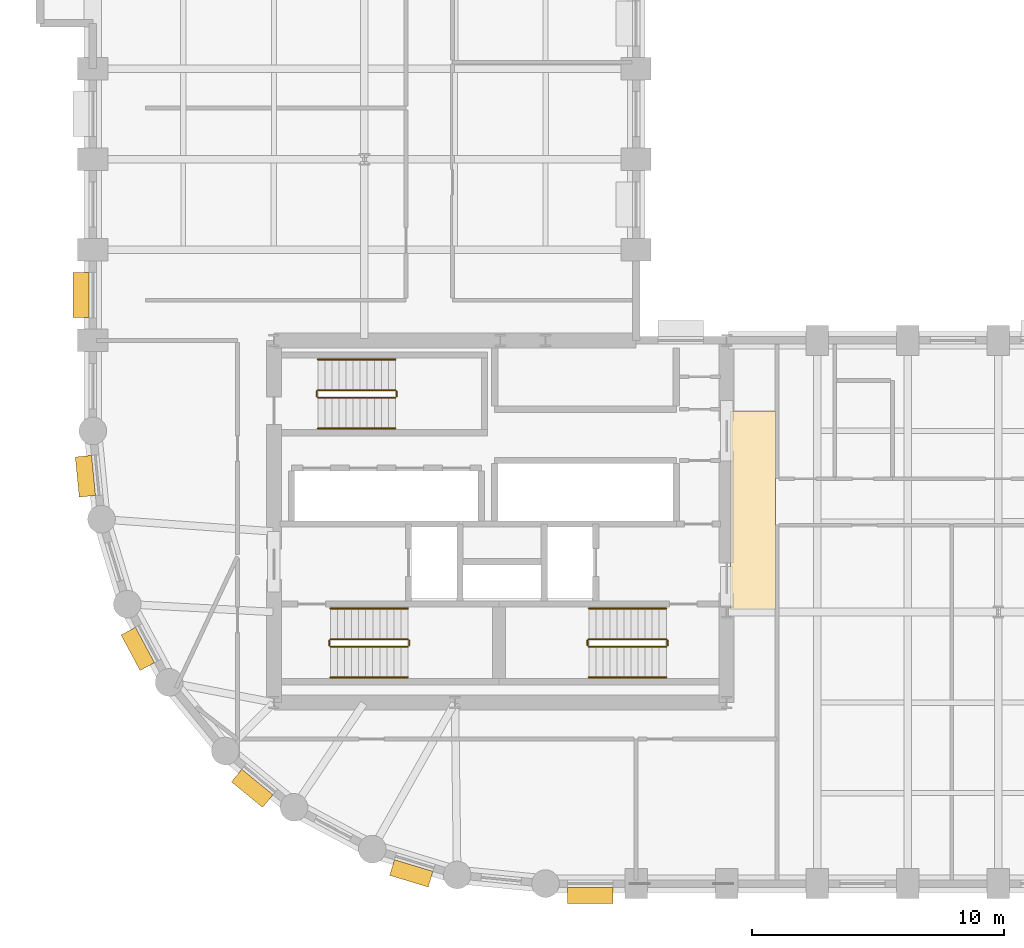
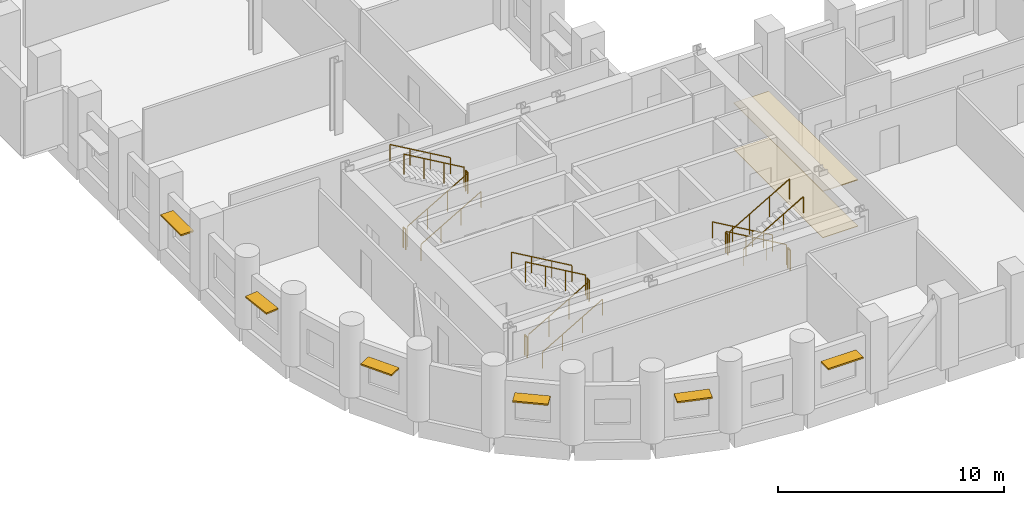
# One storey, part 10 of 11: 18 railings, 6 shading devices, 2 coverings.
"""IFC4 building model written with IfcOpenShell, lengths in metres."""

from ifc_helpers import new_model, si_unit, direction, frame, origin, origin_2d, place, context, subcontext, project, spatial, polyline, rectangle, circle, outline, extrude, material, layer, layer_set, type_object, element, save


model = new_model("IFC4")

# Units and contexts
model_context = context("Model", 3, precision=1e-05, world=origin(), true_north=direction((0.0, 1.0)))
body_context = subcontext(model_context, "Body", "Model", "MODEL_VIEW")
ifc_project = project(units=[si_unit("LENGTHUNIT", "METRE"), si_unit("AREAUNIT", "SQUARE_METRE"), si_unit("VOLUMEUNIT", "CUBIC_METRE"), si_unit("PLANEANGLEUNIT", "RADIAN"), si_unit("MASSUNIT", "GRAM", prefix="KILO")], contexts=[model_context])

# Site, building, storey
site_placement = place(None, origin())
site = spatial("IfcSite", under=ifc_project, at=site_placement, CompositionType="ELEMENT")
building_placement = place(site_placement, origin())
building = spatial("IfcBuilding", under=site, at=building_placement, Name="Solnavia Interchange Tower", CompositionType="ELEMENT")
storey_placement = place(building_placement, frame((0.0, 0.0, 55.199951171875)))
storey = spatial("IfcBuildingStorey", under=building, at=storey_placement, Name="L13", CompositionType="ELEMENT", Elevation=55.199951171875)

# Coverings
ifc_material_1 = material(Name="Perforated Mineral-Fibre & Gypsum Ceiling", Category="gypsum")
ifc_layer_1 = layer(ifc_material_1, 0.0400390625)
ifc_layer_set_1 = layer_set([ifc_layer_1], Name="Perforated Mineral-Fibre & Gypsum Ceiling")
covering_type_1 = type_object("IfcCoveringType", Name="Covering-Ceiling-Acoustic40", PredefinedType="CEILING", material=ifc_layer_set_1)
covering_1_placement = place(storey_placement, frame((0.0, 0.0, 2.5)))
element("IfcCovering", 1, at=covering_1_placement, inside=storey, type_object=covering_type_1, Name="CLG-L13-01 Circulation suspended acoustic ceiling", PredefinedType="CEILING", context=body_context, shape_type="SweptSolid", body=[
    extrude(outline(polyline([(32.550048828125, 14.5), (34.35009765625, 14.5), (34.35009765625, 22.39990234375), (32.550048828125, 22.39990234375), (32.550048828125, 14.5)])), origin(), (0.0, 0.0, 1.0), 0.0400390625),
])
ifc_material_2 = material(Name="Polished Alicante Stone Terrazzo", Category="masonry")
ifc_layer_2 = layer(ifc_material_2, 0.02490234375)
ifc_layer_set_2 = layer_set([ifc_layer_2], Name="Polished Alicante Stone Terrazzo")
covering_type_2 = type_object("IfcCoveringType", Name="Covering-Flooring-Terrazzo25", PredefinedType="FLOORING", material=ifc_layer_set_2)
covering_2_placement = place(storey_placement, origin())
element("IfcCovering", 2, at=covering_2_placement, inside=storey, type_object=covering_type_2, Name="FLR-L13-01 Circulation floor finish", PredefinedType="FLOORING", context=body_context, shape_type="SweptSolid", body=[
    extrude(outline(polyline([(32.550048828125, 14.5), (34.35009765625, 14.5), (34.35009765625, 22.39990234375), (32.550048828125, 22.39990234375), (32.550048828125, 14.5)])), origin(), (0.0, 0.0, 1.0), 0.025146484375),
])

# Railings
ifc_material_3 = material(Name="Painted Steel Balustrade", Category="steel")
railing_type_1 = type_object("IfcRailingType", Name="Railing-StairGuard-1100", PredefinedType="GUARDRAIL", material=ifc_material_3)
railing_1_placement = place(storey_placement, frame((16.64990234375, 13.02001953125, 0.16259765625)))
element("IfcRailing", 3, at=railing_1_placement, inside=storey, type_object=railing_type_1, Name="L13 ST-1 stair guard 1", PredefinedType="GUARDRAIL", context=body_context, shape_type="SweptSolid", body=[
    extrude(circle(Radius=0.02392578125, at=origin_2d()), frame((0.0, 0.0, 1.09619140625), z_axis=(0.864920483161, 0.0, 0.501908913857), x_axis=(0.0, 1.0, 0.0)), (0.0, 0.0, 1.0), 3.56103515625),
    extrude(circle(Radius=0.02099609375, at=origin_2d()), origin(), (0.0, 0.0, 1.0), 1.072021484375),
    extrude(circle(Radius=0.02099609375, at=origin_2d()), frame((1.026611328125, 0.0, 0.595703125)), (0.0, 0.0, 1.0), 1.072021484375),
    extrude(circle(Radius=0.02099609375, at=origin_2d()), frame((2.053466796875, 0.0, 1.191650390625)), (0.0, 0.0, 1.0), 1.072021484375),
    extrude(circle(Radius=0.02099609375, at=origin_2d()), frame((3.080078125, 0.0, 1.787353515625)), (0.0, 0.0, 1.0), 1.072021484375),
])
railing_2_placement = place(storey_placement, frame((19.780029296875, 13.070068359375, 1.949951171875)))
element("IfcRailing", 4, at=railing_2_placement, inside=storey, type_object=railing_type_1, Name="L13 ST-1 stair guard 2", PredefinedType="GUARDRAIL", context=body_context, shape_type="SweptSolid", body=[
    extrude(circle(Radius=0.02392578125, at=origin_2d()), frame((0.0, 0.0, 1.09619140625), z_axis=(0.0, 1.0, 0.0), x_axis=(-1.0, 0.0, 0.0)), (0.0, 0.0, 1.0), 0.199951171875),
    extrude(circle(Radius=0.02099609375, at=origin_2d()), origin(), (0.0, 0.0, 1.0), 1.072021484375),
    extrude(circle(Radius=0.02099609375, at=origin_2d()), frame((0.0, 0.199951171875, 0.0)), (0.0, 0.0, 1.0), 1.072021484375),
])
railing_3_placement = place(storey_placement, frame((19.72998046875, 13.320068359375, 2.112548828125)))
element("IfcRailing", 5, at=railing_3_placement, inside=storey, type_object=railing_type_1, Name="L13 ST-1 stair guard 3", PredefinedType="GUARDRAIL", context=body_context, shape_type="SweptSolid", body=[
    extrude(circle(Radius=0.02392578125, at=origin_2d()), frame((0.0, 0.0, 1.09619140625), z_axis=(-0.864890721111, 0.0, 0.501960198159), x_axis=(0.0, -1.0, 0.0)), (0.0, 0.0, 1.0), 3.561279296875),
    extrude(circle(Radius=0.02099609375, at=origin_2d()), origin(), (0.0, 0.0, 1.0), 1.072021484375),
    extrude(circle(Radius=0.02099609375, at=origin_2d()), frame((-1.026611328125, 0.0, 0.595947265625)), (0.0, 0.0, 1.0), 1.072021484375),
    extrude(circle(Radius=0.02099609375, at=origin_2d()), frame((-2.053466796875, 0.0, 1.191650390625)), (0.0, 0.0, 1.0), 1.072021484375),
    extrude(circle(Radius=0.02099609375, at=origin_2d()), frame((-3.080078125, 0.0, 1.78759765625)), (0.0, 0.0, 1.0), 1.072021484375),
])
railing_4_placement = place(storey_placement, frame((16.60009765625, 13.070068359375, 0.0)))
element("IfcRailing", 6, at=railing_4_placement, inside=storey, type_object=railing_type_1, Name="L13 ST-1 stair guard 4", PredefinedType="GUARDRAIL", context=body_context, shape_type="SweptSolid", body=[
    extrude(circle(Radius=0.02392578125, at=origin_2d()), frame((0.0, 0.0, 1.09619140625), z_axis=(0.0, 1.0, 0.0), x_axis=(-1.0, 0.0, 0.0)), (0.0, 0.0, 1.0), 0.199951171875),
    extrude(circle(Radius=0.02099609375, at=origin_2d()), origin(), (0.0, 0.0, 1.0), 1.072021484375),
    extrude(circle(Radius=0.02099609375, at=origin_2d()), frame((0.0, 0.199951171875, 0.0)), (0.0, 0.0, 1.0), 1.072021484375),
])
railing_5_placement = place(storey_placement, frame((30.0, 13.320068359375, 0.16259765625)))
element("IfcRailing", 7, at=railing_5_placement, inside=storey, type_object=railing_type_1, Name="L13 ST-2 stair guard 1", PredefinedType="GUARDRAIL", context=body_context, shape_type="SweptSolid", body=[
    extrude(circle(Radius=0.02392578125, at=origin_2d()), frame((0.0, 0.0, 1.09619140625), z_axis=(-0.864920483161, 0.0, 0.501908913857), x_axis=(0.0, -1.0, 0.0)), (0.0, 0.0, 1.0), 3.56103515625),
    extrude(circle(Radius=0.02099609375, at=origin_2d()), origin(), (0.0, 0.0, 1.0), 1.072021484375),
    extrude(circle(Radius=0.02099609375, at=origin_2d()), frame((-1.026611328125, 0.0, 0.595703125)), (0.0, 0.0, 1.0), 1.072021484375),
    extrude(circle(Radius=0.02099609375, at=origin_2d()), frame((-2.053466796875, 0.0, 1.191650390625)), (0.0, 0.0, 1.0), 1.072021484375),
    extrude(circle(Radius=0.02099609375, at=origin_2d()), frame((-3.080078125, 0.0, 1.787353515625)), (0.0, 0.0, 1.0), 1.072021484375),
])
railing_6_placement = place(storey_placement, frame((26.8701171875, 13.27001953125, 1.949951171875)))
element("IfcRailing", 8, at=railing_6_placement, inside=storey, type_object=railing_type_1, Name="L13 ST-2 stair guard 2", PredefinedType="GUARDRAIL", context=body_context, shape_type="SweptSolid", body=[
    extrude(circle(Radius=0.02392578125, at=origin_2d()), frame((0.0, 0.0, 1.09619140625), z_axis=(0.0, -1.0, 0.0), x_axis=(1.0, 0.0, 0.0)), (0.0, 0.0, 1.0), 0.199951171875),
    extrude(circle(Radius=0.02099609375, at=origin_2d()), origin(), (0.0, 0.0, 1.0), 1.072021484375),
    extrude(circle(Radius=0.02099609375, at=origin_2d()), frame((0.0, -0.199951171875, 0.0)), (0.0, 0.0, 1.0), 1.072021484375),
])
railing_7_placement = place(storey_placement, frame((26.919921875, 13.02001953125, 2.112548828125)))
element("IfcRailing", 9, at=railing_7_placement, inside=storey, type_object=railing_type_1, Name="L13 ST-2 stair guard 3", PredefinedType="GUARDRAIL", context=body_context, shape_type="SweptSolid", body=[
    extrude(circle(Radius=0.02392578125, at=origin_2d()), frame((0.0, 0.0, 1.09619140625), z_axis=(0.864890721111, 0.0, 0.501960198159), x_axis=(0.0, 1.0, 0.0)), (0.0, 0.0, 1.0), 3.561279296875),
    extrude(circle(Radius=0.02099609375, at=origin_2d()), origin(), (0.0, 0.0, 1.0), 1.072021484375),
    extrude(circle(Radius=0.02099609375, at=origin_2d()), frame((1.026611328125, 0.0, 0.595947265625)), (0.0, 0.0, 1.0), 1.072021484375),
    extrude(circle(Radius=0.02099609375, at=origin_2d()), frame((2.053466796875, 0.0, 1.191650390625)), (0.0, 0.0, 1.0), 1.072021484375),
    extrude(circle(Radius=0.02099609375, at=origin_2d()), frame((3.080078125, 0.0, 1.78759765625)), (0.0, 0.0, 1.0), 1.072021484375),
])
railing_8_placement = place(storey_placement, frame((30.050048828125, 13.27001953125, 0.0)))
element("IfcRailing", 10, at=railing_8_placement, inside=storey, type_object=railing_type_1, Name="L13 ST-2 stair guard 4", PredefinedType="GUARDRAIL", context=body_context, shape_type="SweptSolid", body=[
    extrude(circle(Radius=0.02392578125, at=origin_2d()), frame((0.0, 0.0, 1.09619140625), z_axis=(0.0, -1.0, 0.0), x_axis=(1.0, 0.0, 0.0)), (0.0, 0.0, 1.0), 0.199951171875),
    extrude(circle(Radius=0.02099609375, at=origin_2d()), origin(), (0.0, 0.0, 1.0), 1.072021484375),
    extrude(circle(Radius=0.02099609375, at=origin_2d()), frame((0.0, -0.199951171875, 0.0)), (0.0, 0.0, 1.0), 1.072021484375),
])
railing_9_placement = place(storey_placement, frame((16.14990234375, 22.919921875, 0.16259765625)))
element("IfcRailing", 11, at=railing_9_placement, inside=storey, type_object=railing_type_1, Name="L13 ST-3 stair guard 1", PredefinedType="GUARDRAIL", context=body_context, shape_type="SweptSolid", body=[
    extrude(circle(Radius=0.02392578125, at=origin_2d()), frame((0.0, 0.0, 1.09619140625), z_axis=(0.864920483161, 0.0, 0.501908913857), x_axis=(0.0, 1.0, 0.0)), (0.0, 0.0, 1.0), 3.56103515625),
    extrude(circle(Radius=0.02099609375, at=origin_2d()), origin(), (0.0, 0.0, 1.0), 1.072021484375),
    extrude(circle(Radius=0.02099609375, at=origin_2d()), frame((1.026611328125, 0.0, 0.595703125)), (0.0, 0.0, 1.0), 1.072021484375),
    extrude(circle(Radius=0.02099609375, at=origin_2d()), frame((2.053466796875, 0.0, 1.191650390625)), (0.0, 0.0, 1.0), 1.072021484375),
    extrude(circle(Radius=0.02099609375, at=origin_2d()), frame((3.080078125, 0.0, 1.787353515625)), (0.0, 0.0, 1.0), 1.072021484375),
])
railing_10_placement = place(storey_placement, frame((19.280029296875, 22.969970703125, 1.949951171875)))
element("IfcRailing", 12, at=railing_10_placement, inside=storey, type_object=railing_type_1, Name="L13 ST-3 stair guard 2", PredefinedType="GUARDRAIL", context=body_context, shape_type="SweptSolid", body=[
    extrude(circle(Radius=0.02392578125, at=origin_2d()), frame((0.0, 0.0, 1.09619140625), z_axis=(0.0, 1.0, 0.0), x_axis=(-1.0, 0.0, 0.0)), (0.0, 0.0, 1.0), 0.199951171875),
    extrude(circle(Radius=0.02099609375, at=origin_2d()), origin(), (0.0, 0.0, 1.0), 1.072021484375),
    extrude(circle(Radius=0.02099609375, at=origin_2d()), frame((0.0, 0.199951171875, 0.0)), (0.0, 0.0, 1.0), 1.072021484375),
])
railing_11_placement = place(storey_placement, frame((19.22998046875, 23.219970703125, 2.112548828125)))
element("IfcRailing", 13, at=railing_11_placement, inside=storey, type_object=railing_type_1, Name="L13 ST-3 stair guard 3", PredefinedType="GUARDRAIL", context=body_context, shape_type="SweptSolid", body=[
    extrude(circle(Radius=0.02392578125, at=origin_2d()), frame((0.0, 0.0, 1.09619140625), z_axis=(-0.864890721111, 0.0, 0.501960198159), x_axis=(0.0, -1.0, 0.0)), (0.0, 0.0, 1.0), 3.561279296875),
    extrude(circle(Radius=0.02099609375, at=origin_2d()), origin(), (0.0, 0.0, 1.0), 1.072021484375),
    extrude(circle(Radius=0.02099609375, at=origin_2d()), frame((-1.026611328125, 0.0, 0.595947265625)), (0.0, 0.0, 1.0), 1.072021484375),
    extrude(circle(Radius=0.02099609375, at=origin_2d()), frame((-2.053466796875, 0.0, 1.191650390625)), (0.0, 0.0, 1.0), 1.072021484375),
    extrude(circle(Radius=0.02099609375, at=origin_2d()), frame((-3.080078125, 0.0, 1.78759765625)), (0.0, 0.0, 1.0), 1.072021484375),
])
railing_12_placement = place(storey_placement, frame((16.10009765625, 22.969970703125, 0.0)))
element("IfcRailing", 14, at=railing_12_placement, inside=storey, type_object=railing_type_1, Name="L13 ST-3 stair guard 4", PredefinedType="GUARDRAIL", context=body_context, shape_type="SweptSolid", body=[
    extrude(circle(Radius=0.02392578125, at=origin_2d()), frame((0.0, 0.0, 1.09619140625), z_axis=(0.0, 1.0, 0.0), x_axis=(-1.0, 0.0, 0.0)), (0.0, 0.0, 1.0), 0.199951171875),
    extrude(circle(Radius=0.02099609375, at=origin_2d()), origin(), (0.0, 0.0, 1.0), 1.072021484375),
    extrude(circle(Radius=0.02099609375, at=origin_2d()), frame((0.0, 0.199951171875, 0.0)), (0.0, 0.0, 1.0), 1.072021484375),
])
ifc_material_4 = material(Name="Brushed Stainless Steel", Category="steel")
railing_type_2 = type_object("IfcRailingType", Name="Railing-StairHandrail-900", PredefinedType="HANDRAIL", material=ifc_material_4)
railing_13_placement = place(storey_placement, frame((16.64990234375, 11.800048828125, 0.16259765625)))
element("IfcRailing", 15, at=railing_13_placement, inside=storey, type_object=railing_type_2, Name="L13 ST-1 stair handrail 1", PredefinedType="HANDRAIL", context=body_context, shape_type="SweptSolid", body=[
    extrude(circle(Radius=0.02392578125, at=origin_2d()), frame((0.0, 0.0, 0.8759765625), z_axis=(0.864920483161, 0.0, 0.501908913857), x_axis=(0.0, 1.0, 0.0)), (0.0, 0.0, 1.0), 3.56103515625),
    extrude(circle(Radius=0.02099609375, at=origin_2d()), origin(), (0.0, 0.0, 1.0), 0.851806640625),
    extrude(circle(Radius=0.02099609375, at=origin_2d()), frame((1.026611328125, 0.0, 0.595703125)), (0.0, 0.0, 1.0), 0.851806640625),
    extrude(circle(Radius=0.02099609375, at=origin_2d()), frame((2.053466796875, 0.0, 1.191650390625)), (0.0, 0.0, 1.0), 0.851806640625),
    extrude(circle(Radius=0.02099609375, at=origin_2d()), frame((3.080078125, 0.0, 1.787353515625)), (0.0, 0.0, 1.0), 0.851806640625),
])
railing_14_placement = place(storey_placement, frame((19.72998046875, 14.5400390625, 2.112548828125)))
element("IfcRailing", 16, at=railing_14_placement, inside=storey, type_object=railing_type_2, Name="L13 ST-1 stair handrail 2", PredefinedType="HANDRAIL", context=body_context, shape_type="SweptSolid", body=[
    extrude(circle(Radius=0.02392578125, at=origin_2d()), frame((0.0, 0.0, 0.8759765625), z_axis=(-0.864890721111, 0.0, 0.501960198159), x_axis=(0.0, -1.0, 0.0)), (0.0, 0.0, 1.0), 3.561279296875),
    extrude(circle(Radius=0.02099609375, at=origin_2d()), origin(), (0.0, 0.0, 1.0), 0.851806640625),
    extrude(circle(Radius=0.02099609375, at=origin_2d()), frame((-1.026611328125, 0.0, 0.595947265625)), (0.0, 0.0, 1.0), 0.851806640625),
    extrude(circle(Radius=0.02099609375, at=origin_2d()), frame((-2.053466796875, 0.0, 1.191650390625)), (0.0, 0.0, 1.0), 0.851806640625),
    extrude(circle(Radius=0.02099609375, at=origin_2d()), frame((-3.080078125, 0.0, 1.78759765625)), (0.0, 0.0, 1.0), 0.851806640625),
])
railing_15_placement = place(storey_placement, frame((30.0, 14.5400390625, 0.16259765625)))
element("IfcRailing", 17, at=railing_15_placement, inside=storey, type_object=railing_type_2, Name="L13 ST-2 stair handrail 1", PredefinedType="HANDRAIL", context=body_context, shape_type="SweptSolid", body=[
    extrude(circle(Radius=0.02392578125, at=origin_2d()), frame((0.0, 0.0, 0.8759765625), z_axis=(-0.864920483161, 0.0, 0.501908913857), x_axis=(0.0, -1.0, 0.0)), (0.0, 0.0, 1.0), 3.56103515625),
    extrude(circle(Radius=0.02099609375, at=origin_2d()), origin(), (0.0, 0.0, 1.0), 0.851806640625),
    extrude(circle(Radius=0.02099609375, at=origin_2d()), frame((-1.026611328125, 0.0, 0.595703125)), (0.0, 0.0, 1.0), 0.851806640625),
    extrude(circle(Radius=0.02099609375, at=origin_2d()), frame((-2.053466796875, 0.0, 1.191650390625)), (0.0, 0.0, 1.0), 0.851806640625),
    extrude(circle(Radius=0.02099609375, at=origin_2d()), frame((-3.080078125, 0.0, 1.787353515625)), (0.0, 0.0, 1.0), 0.851806640625),
])
railing_16_placement = place(storey_placement, frame((26.919921875, 11.800048828125, 2.112548828125)))
element("IfcRailing", 18, at=railing_16_placement, inside=storey, type_object=railing_type_2, Name="L13 ST-2 stair handrail 2", PredefinedType="HANDRAIL", context=body_context, shape_type="SweptSolid", body=[
    extrude(circle(Radius=0.02392578125, at=origin_2d()), frame((0.0, 0.0, 0.8759765625), z_axis=(0.864890721111, 0.0, 0.501960198159), x_axis=(0.0, 1.0, 0.0)), (0.0, 0.0, 1.0), 3.561279296875),
    extrude(circle(Radius=0.02099609375, at=origin_2d()), origin(), (0.0, 0.0, 1.0), 0.851806640625),
    extrude(circle(Radius=0.02099609375, at=origin_2d()), frame((1.026611328125, 0.0, 0.595947265625)), (0.0, 0.0, 1.0), 0.851806640625),
    extrude(circle(Radius=0.02099609375, at=origin_2d()), frame((2.053466796875, 0.0, 1.191650390625)), (0.0, 0.0, 1.0), 0.851806640625),
    extrude(circle(Radius=0.02099609375, at=origin_2d()), frame((3.080078125, 0.0, 1.78759765625)), (0.0, 0.0, 1.0), 0.851806640625),
])
railing_17_placement = place(storey_placement, frame((16.14990234375, 21.699951171875, 0.16259765625)))
element("IfcRailing", 19, at=railing_17_placement, inside=storey, type_object=railing_type_2, Name="L13 ST-3 stair handrail 1", PredefinedType="HANDRAIL", context=body_context, shape_type="SweptSolid", body=[
    extrude(circle(Radius=0.02392578125, at=origin_2d()), frame((0.0, 0.0, 0.8759765625), z_axis=(0.864920483161, 0.0, 0.501908913857), x_axis=(0.0, 1.0, 0.0)), (0.0, 0.0, 1.0), 3.56103515625),
    extrude(circle(Radius=0.02099609375, at=origin_2d()), origin(), (0.0, 0.0, 1.0), 0.851806640625),
    extrude(circle(Radius=0.02099609375, at=origin_2d()), frame((1.026611328125, 0.0, 0.595703125)), (0.0, 0.0, 1.0), 0.851806640625),
    extrude(circle(Radius=0.02099609375, at=origin_2d()), frame((2.053466796875, 0.0, 1.191650390625)), (0.0, 0.0, 1.0), 0.851806640625),
    extrude(circle(Radius=0.02099609375, at=origin_2d()), frame((3.080078125, 0.0, 1.787353515625)), (0.0, 0.0, 1.0), 0.851806640625),
])
railing_18_placement = place(storey_placement, frame((19.22998046875, 24.43994140625, 2.112548828125)))
element("IfcRailing", 20, at=railing_18_placement, inside=storey, type_object=railing_type_2, Name="L13 ST-3 stair handrail 2", PredefinedType="HANDRAIL", context=body_context, shape_type="SweptSolid", body=[
    extrude(circle(Radius=0.02392578125, at=origin_2d()), frame((0.0, 0.0, 0.8759765625), z_axis=(-0.864890721111, 0.0, 0.501960198159), x_axis=(0.0, -1.0, 0.0)), (0.0, 0.0, 1.0), 3.561279296875),
    extrude(circle(Radius=0.02099609375, at=origin_2d()), origin(), (0.0, 0.0, 1.0), 0.851806640625),
    extrude(circle(Radius=0.02099609375, at=origin_2d()), frame((-1.026611328125, 0.0, 0.595947265625)), (0.0, 0.0, 1.0), 0.851806640625),
    extrude(circle(Radius=0.02099609375, at=origin_2d()), frame((-2.053466796875, 0.0, 1.191650390625)), (0.0, 0.0, 1.0), 0.851806640625),
    extrude(circle(Radius=0.02099609375, at=origin_2d()), frame((-3.080078125, 0.0, 1.78759765625)), (0.0, 0.0, 1.0), 0.851806640625),
])

# Shading devices
ifc_material_5 = material(Name="Anodised Aluminium Sunshade", Category="aluminium")
ifc_layer_3 = layer(ifc_material_5, 0.080078125)
ifc_layer_set_3 = layer_set([ifc_layer_3], Name="Anodised Aluminium Sunshade")
shading_device_type = type_object("IfcShadingDeviceType", Name="Sunshade-Band-650", PredefinedType="SHUTTER", material=ifc_layer_set_3)
for number, where, z_axis, x_axis, name in (
    (21, (26.97509765625, 3.1298828125, 2.219970703125), (0.0, 0.0, 1.0), (-1.0, 0.0, 0.0), "SHD-L13-01 Horizontal sunshade band"),
    (22, (6.72998046875, 27.0, 2.219970703125), (0.0, 0.0, 1.0), (0.0, 1.0, 0.0), "SHD-L13-57 Horizontal sunshade band"),
):
    element("IfcShadingDevice", number, at=place(storey_placement, frame(where, z_axis=z_axis, x_axis=x_axis)), inside=storey, type_object=shading_device_type, Name=name, PredefinedType="SHUTTER", context=body_context, shape_type="SweptSolid", body=[
        extrude(rectangle(XDim=1.800048828125, YDim=0.64990234375, at=origin_2d()), origin(), (0.0, 0.0, 1.0), 0.080078125),
    ])
for number, where, z_axis, x_axis, name in (
    (23, (6.9052734375, 19.79833984375, 2.219970703125), (0.0, 0.0, 1.0), (-0.098103986207, 0.995176169274, 0.0), "SHD-L13-59 Horizontal sunshade band"),
    (24, (8.98779296875, 12.93408203125, 2.219970703125), (0.0, 0.0, 1.0), (-0.47147369718, 0.881880123865, 0.0), "SHD-L13-61 Horizontal sunshade band"),
    (25, (13.5380859375, 7.389404296875, 2.219970703125), (0.0, 0.0, 1.0), (-0.773176510644, 0.634190888762, 0.0), "SHD-L13-63 Horizontal sunshade band"),
    (26, (19.863525390625, 4.00830078125, 2.219970703125), (0.0, 0.0, 1.0), (-0.956965664205, 0.290201167351, 0.0), "SHD-L13-65 Horizontal sunshade band"),
):
    element("IfcShadingDevice", number, at=place(storey_placement, frame(where, z_axis=z_axis, x_axis=x_axis)), inside=storey, type_object=shading_device_type, Name=name, PredefinedType="SHUTTER", context=body_context, shape_type="SweptSolid", body=[
        extrude(rectangle(XDim=1.60009765625, YDim=0.64990234375, at=origin_2d()), origin(), (0.0, 0.0, 1.0), 0.080078125),
    ])

save(model, "model.ifc")
